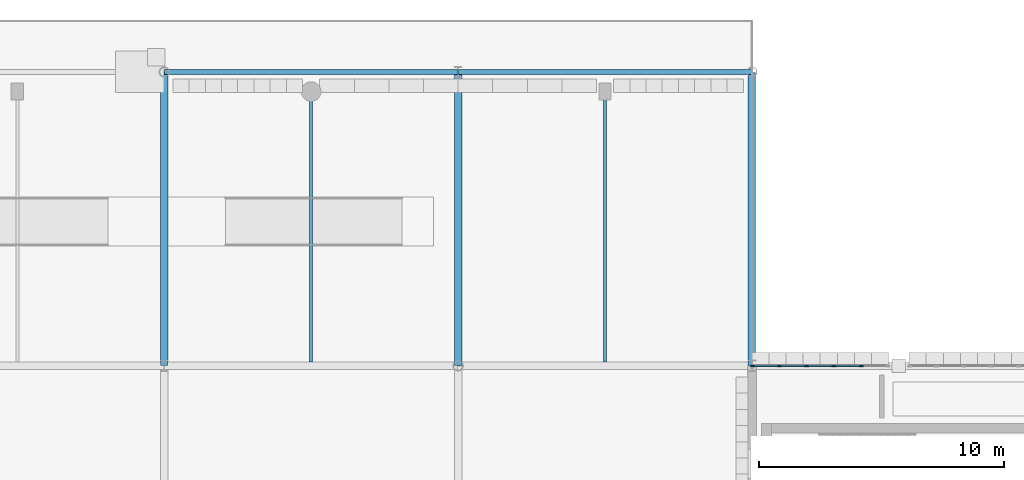
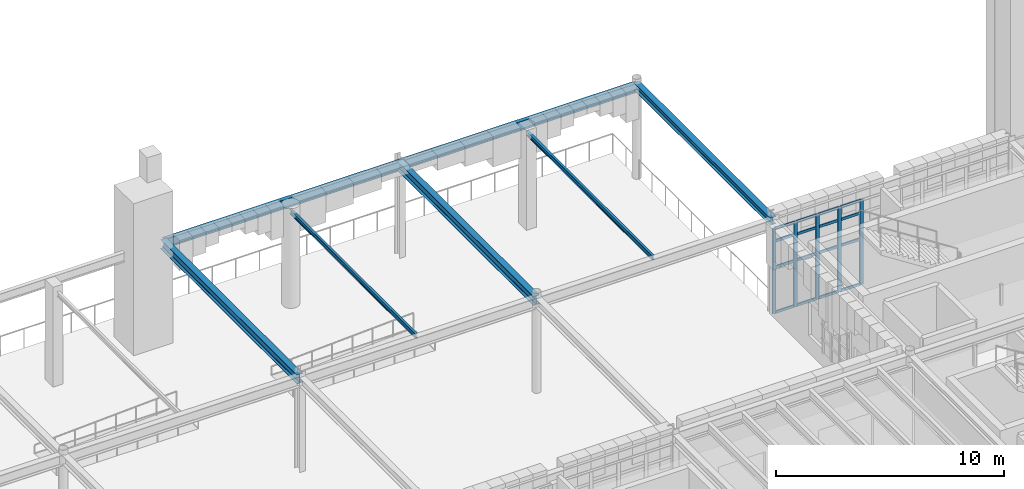
# One storey, part 32 of 103: 21 members, 7 beams, 1 element without a shape of its own.
"""IFC4 building model written with IfcOpenShell, lengths in metres."""

from ifc_helpers import new_model, si_unit, direction, frame, origin, origin_2d, place, context, subcontext, project, spatial, rectangle, i_section, extrude, material, layer, layer_set, material_profile, profile_set, type_object, element, aggregate, save


model = new_model("IFC4")

# Units and contexts
model_context = context("Model", 3, precision=1e-05, world=origin(), true_north=direction((0.0, 1.0)))
body_context = subcontext(model_context, "Body", "Model", "MODEL_VIEW")
ifc_project = project(units=[si_unit("LENGTHUNIT", "METRE"), si_unit("AREAUNIT", "SQUARE_METRE"), si_unit("VOLUMEUNIT", "CUBIC_METRE"), si_unit("PLANEANGLEUNIT", "RADIAN"), si_unit("MASSUNIT", "GRAM", prefix="KILO")], contexts=[model_context])

# Site, building, storey
site_placement = place(None, origin())
site = spatial("IfcSite", under=ifc_project, at=site_placement, CompositionType="ELEMENT")
building_placement = place(site_placement, origin())
building = spatial("IfcBuilding", under=site, at=building_placement, Name="Zlatogorsky Bluff Art Gallery", CompositionType="ELEMENT")
storey_placement = place(building_placement, origin())
storey = spatial("IfcBuildingStorey", under=building, at=storey_placement, Name="L00", CompositionType="ELEMENT", Elevation=0.0)

# Beams
ifc_material_1 = material(Name="Steel S355", Category="steel")
ifc_material_profile_1 = material_profile(ifc_material_1, i_section(OverallWidth=0.300048828125, OverallDepth=0.489990234375, WebThickness=0.011962890625, FlangeThickness=0.02294921875, FilletRadius=0.027099609375, at=origin_2d()), Name="HEA 500")
ifc_profile_set_1 = profile_set([ifc_material_profile_1], Name="Steel S355")
beam_type_1 = type_object("IfcBeamType", Name="Beam BM-07 HEA 500", PredefinedType="BEAM", material=ifc_profile_set_1)
for number, where, z_axis, x_axis, name in (
    (1, (96.0, 108.014892578125, 4.89501953125), (0.0, 1.0, 0.0), (-1.0, 0.0, 0.0), "Primary girder BM-07 L00 J/11-12"),
    (2, (108.0, 108.014892578125, 4.89501953125), (0.0, 1.0, 0.0), (-1.0, 0.0, 0.0), "Primary girder BM-07 L00 K/11-12"),
):
    element("IfcBeam", number, at=place(storey_placement, frame(where, z_axis=z_axis, x_axis=x_axis)), inside=storey, type_object=beam_type_1, Name=name, PredefinedType="BEAM", context=body_context, shape_type="SweptSolid", body=[
        extrude(i_section(OverallWidth=0.300048828125, OverallDepth=0.489990234375, WebThickness=0.011962890625, FlangeThickness=0.02294921875, FilletRadius=0.027099609375, at=origin_2d()), origin(), (0.0, 0.0, 1.0), 11.97021484375),
    ])
ifc_material_profile_2 = material_profile(ifc_material_1, i_section(OverallWidth=0.300048828125, OverallDepth=0.389892578125, WebThickness=0.010986328125, FlangeThickness=0.01904296875, FilletRadius=0.027099609375, at=origin_2d()), Name="HEA 400")
ifc_profile_set_2 = profile_set([ifc_material_profile_2], Name="Steel S355")
beam_type_2 = type_object("IfcBeamType", Name="Beam BM-09 HEA 400", PredefinedType="BEAM", material=ifc_profile_set_2)
beam_placement = place(storey_placement, frame((120.0, 108.014892578125, 4.945068359375), z_axis=(0.0, 1.0, 0.0), x_axis=(-1.0, 0.0, 0.0)))
element("IfcBeam", 3, at=beam_placement, inside=storey, type_object=beam_type_2, Name="Primary girder BM-09 L00 L/11-12", PredefinedType="BEAM", context=body_context, shape_type="SweptSolid", body=[
    extrude(i_section(OverallWidth=0.300048828125, OverallDepth=0.389892578125, WebThickness=0.010986328125, FlangeThickness=0.01904296875, FilletRadius=0.027099609375, at=origin_2d()), origin(), (0.0, 0.0, 1.0), 11.97021484375),
])
ifc_material_profile_3 = material_profile(ifc_material_1, i_section(OverallWidth=0.1201171875, OverallDepth=0.239990234375, WebThickness=0.006103515625, FlangeThickness=0.009765625, FilletRadius=0.014892578125, at=origin_2d()), Name="IPE 240")
ifc_profile_set_3 = profile_set([ifc_material_profile_3], Name="Steel S355")
beam_type_3 = type_object("IfcBeamType", Name="Beam LN-02 IPE 240", PredefinedType="LINTEL", material=ifc_profile_set_3)
for number, where, z_axis, x_axis, name in (
    (4, (102.0, 108.14990234375, 4.989990234375), (0.0, 1.0, 0.0), (-1.0, 0.0, 0.0), "Colonnade tie beam 4"),
    (5, (114.0, 108.14990234375, 4.989990234375), (0.0, 1.0, 0.0), (-1.0, 0.0, 0.0), "Colonnade tie beam 5"),
):
    element("IfcBeam", number, at=place(storey_placement, frame(where, z_axis=z_axis, x_axis=x_axis)), inside=storey, type_object=beam_type_3, Name=name, PredefinedType="LINTEL", context=body_context, shape_type="SweptSolid", body=[
        extrude(i_section(OverallWidth=0.1201171875, OverallDepth=0.239990234375, WebThickness=0.006103515625, FlangeThickness=0.009765625, FilletRadius=0.014892578125, at=origin_2d()), origin(), (0.0, 0.0, 1.0), 11.050048828125),
    ])
ifc_material_profile_4 = material_profile(ifc_material_1, i_section(OverallWidth=0.199951171875, OverallDepth=0.5, WebThickness=0.01025390625, FlangeThickness=0.01611328125, FilletRadius=0.02099609375, at=origin_2d()), Name="IPE 500")
ifc_profile_set_4 = profile_set([ifc_material_profile_4], Name="Steel S355")
beam_type_4 = type_object("IfcBeamType", Name="Beam SP-01 IPE 500", PredefinedType="SPANDREL", material=ifc_profile_set_4)
for number, where, z_axis, x_axis, name in (
    (6, (96.014892578125, 120.0, 4.889892578125), (1.0, 0.0, 0.0), (0.0, 1.0, 0.0), "Primary girder SP-01 L00 J-K/12"),
    (7, (108.014892578125, 120.0, 4.889892578125), (1.0, 0.0, 0.0), (0.0, 1.0, 0.0), "Primary girder SP-01 L00 K-L/12"),
):
    element("IfcBeam", number, at=place(storey_placement, frame(where, z_axis=z_axis, x_axis=x_axis)), inside=storey, type_object=beam_type_4, Name=name, PredefinedType="SPANDREL", context=body_context, shape_type="SweptSolid", body=[
        extrude(i_section(OverallWidth=0.199951171875, OverallDepth=0.5, WebThickness=0.01025390625, FlangeThickness=0.01611328125, FilletRadius=0.02099609375, at=origin_2d()), origin(), (0.0, 0.0, 1.0), 11.97021484375),
    ])

# Curtain wall, members
ifc_material_2 = material(Name="Anodised Bronze Aluminium and Low-Iron Triple Glazing", Category="aluminium")
ifc_layer = layer(ifc_material_2, 0.179931640625)
ifc_layer_set = layer_set([ifc_layer], Name="Curtain Wall CW-03")
curtain_wall_type = type_object("IfcCurtainWallType", Name="Curtain Wall CW-03", PredefinedType="USERDEFINED", material=ifc_layer_set)
curtain_wall_placement = place(storey_placement, origin())
curtain_wall = element("IfcCurtainWall", 8, at=curtain_wall_placement, inside=storey, type_object=curtain_wall_type, Name="Unitised curtain wall CW-03 L00 N 10.9-B", ObjectType="CURTAIN WALL", PredefinedType="USERDEFINED")
ifc_material_3 = material(Name="Anodised Bronze Aluminium", Category="aluminium")
ifc_material_profile_5 = material_profile(ifc_material_3, rectangle(XDim=0.06494140625, YDim=0.179931640625, at=origin_2d()), Name="ALU MULLION 65x180")
ifc_profile_set_5 = profile_set([ifc_material_profile_5], Name="Anodised Bronze Aluminium")
member_type_1 = type_object("IfcMemberType", Name="Curtain Mullion ML-01", PredefinedType="MULLION", material=ifc_profile_set_5)
member_1_placement = place(storey_placement, frame((124.464111328125, 108.0, 0.0), z_axis=(0.0, 0.0, 1.0), x_axis=(0.0, -1.0, 0.0)))
member_1 = element("IfcMember", 9, at=member_1_placement, type_object=member_type_1, Name="CW-03 mullion 2", PredefinedType="MULLION", context=body_context, shape_type="SweptSolid", body=[
    extrude(rectangle(XDim=0.06494140625, YDim=0.179931640625, at=origin_2d()), origin(), (0.0, 0.0, 1.0), 4.56005859375),
])
member_2_placement = place(storey_placement, frame((123.347900390625, 108.0, 0.0), z_axis=(0.0, 0.0, 1.0), x_axis=(0.0, -1.0, 0.0)))
member_2 = element("IfcMember", 10, at=member_2_placement, type_object=member_type_1, Name="CW-03 mullion 3", PredefinedType="MULLION", context=body_context, shape_type="SweptSolid", body=[
    extrude(rectangle(XDim=0.06494140625, YDim=0.179931640625, at=origin_2d()), origin(), (0.0, 0.0, 1.0), 4.56005859375),
])
member_3_placement = place(storey_placement, frame((122.23193359375, 108.0, 0.0), z_axis=(0.0, 0.0, 1.0), x_axis=(0.0, -1.0, 0.0)))
member_3 = element("IfcMember", 11, at=member_3_placement, type_object=member_type_1, Name="CW-03 mullion 4", PredefinedType="MULLION", context=body_context, shape_type="SweptSolid", body=[
    extrude(rectangle(XDim=0.06494140625, YDim=0.179931640625, at=origin_2d()), origin(), (0.0, 0.0, 1.0), 4.56005859375),
])
member_4_placement = place(storey_placement, frame((121.115966796875, 108.0, 0.0), z_axis=(0.0, 0.0, 1.0), x_axis=(0.0, -1.0, 0.0)))
member_4 = element("IfcMember", 12, at=member_4_placement, type_object=member_type_1, Name="CW-03 mullion 5", PredefinedType="MULLION", context=body_context, shape_type="SweptSolid", body=[
    extrude(rectangle(XDim=0.06494140625, YDim=0.179931640625, at=origin_2d()), origin(), (0.0, 0.0, 1.0), 4.56005859375),
])
member_5_placement = place(storey_placement, frame((120.032470703125, 108.0, 0.0), z_axis=(0.0, 0.0, 1.0), x_axis=(0.0, -1.0, 0.0)))
member_5 = element("IfcMember", 13, at=member_5_placement, type_object=member_type_1, Name="CW-03 mullion 6", PredefinedType="MULLION", context=body_context, shape_type="SweptSolid", body=[
    extrude(rectangle(XDim=0.06494140625, YDim=0.179931640625, at=origin_2d()), origin(), (0.0, 0.0, 1.0), 4.56005859375),
])
ifc_material_profile_6 = material_profile(ifc_material_3, rectangle(XDim=0.06494140625, YDim=0.139892578125, at=origin_2d()), Name="ALU TRANSOM 65x140")
ifc_profile_set_6 = profile_set([ifc_material_profile_6], Name="Anodised Bronze Aluminium")
member_type_2 = type_object("IfcMemberType", Name="Curtain Transom TR-01", PredefinedType="USERDEFINED", material=ifc_profile_set_6)
member_6_placement = place(storey_placement, frame((124.431396484375, 108.0, 0.032470703125), z_axis=(-1.0, 0.0, 0.0), x_axis=(0.0, -1.0, 0.0)))
member_6 = element("IfcMember", 14, at=member_6_placement, type_object=member_type_2, Name="CW-03 transom 2.1", ObjectType="TRANSOM", PredefinedType="USERDEFINED", context=body_context, shape_type="SweptSolid", body=[
    extrude(rectangle(XDim=0.06494140625, YDim=0.139892578125, at=origin_2d()), origin(), (0.0, 0.0, 1.0), 1.05078125),
])
member_7_placement = place(storey_placement, frame((124.431396484375, 108.0, 2.449951171875), z_axis=(-1.0, 0.0, 0.0), x_axis=(0.0, -1.0, 0.0)))
member_7 = element("IfcMember", 15, at=member_7_placement, type_object=member_type_2, Name="CW-03 transom 2.2", ObjectType="TRANSOM", PredefinedType="USERDEFINED", context=body_context, shape_type="SweptSolid", body=[
    extrude(rectangle(XDim=0.06494140625, YDim=0.139892578125, at=origin_2d()), origin(), (0.0, 0.0, 1.0), 1.05078125),
])
member_8_placement = place(storey_placement, frame((124.431396484375, 108.0, 3.85009765625), z_axis=(-1.0, 0.0, 0.0), x_axis=(0.0, -1.0, 0.0)))
member_8 = element("IfcMember", 16, at=member_8_placement, type_object=member_type_2, Name="CW-03 transom 2.3", ObjectType="TRANSOM", PredefinedType="USERDEFINED", context=body_context, shape_type="SweptSolid", body=[
    extrude(rectangle(XDim=0.06494140625, YDim=0.139892578125, at=origin_2d()), origin(), (0.0, 0.0, 1.0), 1.05078125),
])
member_9_placement = place(storey_placement, frame((124.431396484375, 108.0, 4.527587890625), z_axis=(-1.0, 0.0, 0.0), x_axis=(0.0, -1.0, 0.0)))
member_9 = element("IfcMember", 17, at=member_9_placement, type_object=member_type_2, Name="CW-03 transom 2.4", ObjectType="TRANSOM", PredefinedType="USERDEFINED", context=body_context, shape_type="SweptSolid", body=[
    extrude(rectangle(XDim=0.06494140625, YDim=0.139892578125, at=origin_2d()), origin(), (0.0, 0.0, 1.0), 1.05078125),
])
member_10_placement = place(storey_placement, frame((123.3154296875, 108.0, 0.032470703125), z_axis=(-1.0, 0.0, 0.0), x_axis=(0.0, -1.0, 0.0)))
member_10 = element("IfcMember", 18, at=member_10_placement, type_object=member_type_2, Name="CW-03 transom 3.1", ObjectType="TRANSOM", PredefinedType="USERDEFINED", context=body_context, shape_type="SweptSolid", body=[
    extrude(rectangle(XDim=0.06494140625, YDim=0.139892578125, at=origin_2d()), origin(), (0.0, 0.0, 1.0), 1.051025390625),
])
member_11_placement = place(storey_placement, frame((123.3154296875, 108.0, 2.449951171875), z_axis=(-1.0, 0.0, 0.0), x_axis=(0.0, -1.0, 0.0)))
member_11 = element("IfcMember", 19, at=member_11_placement, type_object=member_type_2, Name="CW-03 transom 3.2", ObjectType="TRANSOM", PredefinedType="USERDEFINED", context=body_context, shape_type="SweptSolid", body=[
    extrude(rectangle(XDim=0.06494140625, YDim=0.139892578125, at=origin_2d()), origin(), (0.0, 0.0, 1.0), 1.051025390625),
])
member_12_placement = place(storey_placement, frame((123.3154296875, 108.0, 3.85009765625), z_axis=(-1.0, 0.0, 0.0), x_axis=(0.0, -1.0, 0.0)))
member_12 = element("IfcMember", 20, at=member_12_placement, type_object=member_type_2, Name="CW-03 transom 3.3", ObjectType="TRANSOM", PredefinedType="USERDEFINED", context=body_context, shape_type="SweptSolid", body=[
    extrude(rectangle(XDim=0.06494140625, YDim=0.139892578125, at=origin_2d()), origin(), (0.0, 0.0, 1.0), 1.051025390625),
])
member_13_placement = place(storey_placement, frame((123.3154296875, 108.0, 4.527587890625), z_axis=(-1.0, 0.0, 0.0), x_axis=(0.0, -1.0, 0.0)))
member_13 = element("IfcMember", 21, at=member_13_placement, type_object=member_type_2, Name="CW-03 transom 3.4", ObjectType="TRANSOM", PredefinedType="USERDEFINED", context=body_context, shape_type="SweptSolid", body=[
    extrude(rectangle(XDim=0.06494140625, YDim=0.139892578125, at=origin_2d()), origin(), (0.0, 0.0, 1.0), 1.051025390625),
])
member_14_placement = place(storey_placement, frame((122.199462890625, 108.0, 0.032470703125), z_axis=(-1.0, 0.0, 0.0), x_axis=(0.0, -1.0, 0.0)))
member_14 = element("IfcMember", 22, at=member_14_placement, type_object=member_type_2, Name="CW-03 transom 4.1", ObjectType="TRANSOM", PredefinedType="USERDEFINED", context=body_context, shape_type="SweptSolid", body=[
    extrude(rectangle(XDim=0.06494140625, YDim=0.139892578125, at=origin_2d()), origin(), (0.0, 0.0, 1.0), 1.051025390625),
])
member_15_placement = place(storey_placement, frame((122.199462890625, 108.0, 2.449951171875), z_axis=(-1.0, 0.0, 0.0), x_axis=(0.0, -1.0, 0.0)))
member_15 = element("IfcMember", 23, at=member_15_placement, type_object=member_type_2, Name="CW-03 transom 4.2", ObjectType="TRANSOM", PredefinedType="USERDEFINED", context=body_context, shape_type="SweptSolid", body=[
    extrude(rectangle(XDim=0.06494140625, YDim=0.139892578125, at=origin_2d()), origin(), (0.0, 0.0, 1.0), 1.051025390625),
])
member_16_placement = place(storey_placement, frame((122.199462890625, 108.0, 3.85009765625), z_axis=(-1.0, 0.0, 0.0), x_axis=(0.0, -1.0, 0.0)))
member_16 = element("IfcMember", 24, at=member_16_placement, type_object=member_type_2, Name="CW-03 transom 4.3", ObjectType="TRANSOM", PredefinedType="USERDEFINED", context=body_context, shape_type="SweptSolid", body=[
    extrude(rectangle(XDim=0.06494140625, YDim=0.139892578125, at=origin_2d()), origin(), (0.0, 0.0, 1.0), 1.051025390625),
])
member_17_placement = place(storey_placement, frame((122.199462890625, 108.0, 4.527587890625), z_axis=(-1.0, 0.0, 0.0), x_axis=(0.0, -1.0, 0.0)))
member_17 = element("IfcMember", 25, at=member_17_placement, type_object=member_type_2, Name="CW-03 transom 4.4", ObjectType="TRANSOM", PredefinedType="USERDEFINED", context=body_context, shape_type="SweptSolid", body=[
    extrude(rectangle(XDim=0.06494140625, YDim=0.139892578125, at=origin_2d()), origin(), (0.0, 0.0, 1.0), 1.051025390625),
])
member_18_placement = place(storey_placement, frame((121.08349609375, 108.0, 0.032470703125), z_axis=(-1.0, 0.0, 0.0), x_axis=(0.0, -1.0, 0.0)))
member_18 = element("IfcMember", 26, at=member_18_placement, type_object=member_type_2, Name="CW-03 transom 5.1", ObjectType="TRANSOM", PredefinedType="USERDEFINED", context=body_context, shape_type="SweptSolid", body=[
    extrude(rectangle(XDim=0.06494140625, YDim=0.139892578125, at=origin_2d()), origin(), (0.0, 0.0, 1.0), 1.0185546875),
])
member_19_placement = place(storey_placement, frame((121.08349609375, 108.0, 2.449951171875), z_axis=(-1.0, 0.0, 0.0), x_axis=(0.0, -1.0, 0.0)))
member_19 = element("IfcMember", 27, at=member_19_placement, type_object=member_type_2, Name="CW-03 transom 5.2", ObjectType="TRANSOM", PredefinedType="USERDEFINED", context=body_context, shape_type="SweptSolid", body=[
    extrude(rectangle(XDim=0.06494140625, YDim=0.139892578125, at=origin_2d()), origin(), (0.0, 0.0, 1.0), 1.0185546875),
])
member_20_placement = place(storey_placement, frame((121.08349609375, 108.0, 3.85009765625), z_axis=(-1.0, 0.0, 0.0), x_axis=(0.0, -1.0, 0.0)))
member_20 = element("IfcMember", 28, at=member_20_placement, type_object=member_type_2, Name="CW-03 transom 5.3", ObjectType="TRANSOM", PredefinedType="USERDEFINED", context=body_context, shape_type="SweptSolid", body=[
    extrude(rectangle(XDim=0.06494140625, YDim=0.139892578125, at=origin_2d()), origin(), (0.0, 0.0, 1.0), 1.0185546875),
])
member_21_placement = place(storey_placement, frame((121.08349609375, 108.0, 4.527587890625), z_axis=(-1.0, 0.0, 0.0), x_axis=(0.0, -1.0, 0.0)))
member_21 = element("IfcMember", 29, at=member_21_placement, type_object=member_type_2, Name="CW-03 transom 5.4", ObjectType="TRANSOM", PredefinedType="USERDEFINED", context=body_context, shape_type="SweptSolid", body=[
    extrude(rectangle(XDim=0.06494140625, YDim=0.139892578125, at=origin_2d()), origin(), (0.0, 0.0, 1.0), 1.0185546875),
])
aggregate(curtain_wall, [member_1, member_2, member_3, member_4, member_5, member_6, member_7, member_8, member_9, member_10, member_11, member_12, member_13, member_14, member_15, member_16, member_17, member_18, member_19, member_20, member_21])

save(model, "model.ifc")
